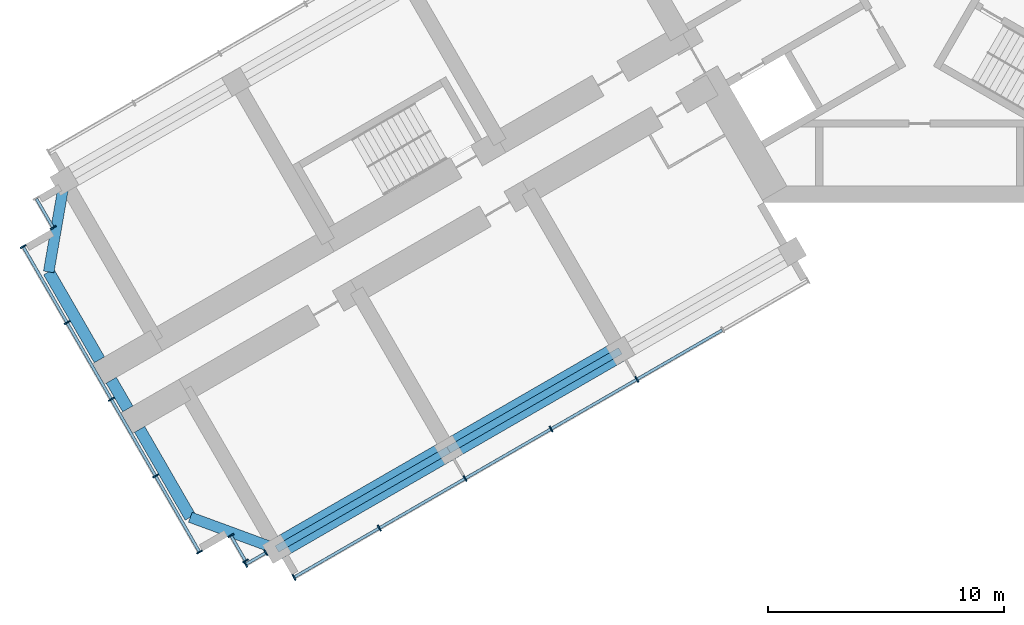
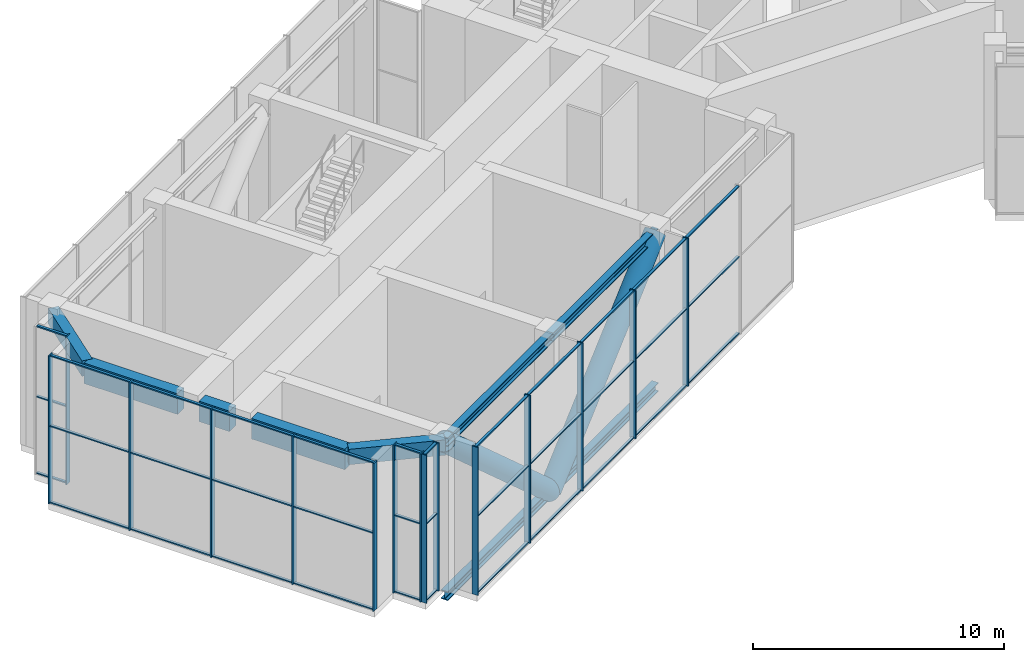
# One storey, part 2 of 16: 57 members, 5 beams, 5 elements without a shape of their own.
"""IFC4 building model written with IfcOpenShell, lengths in metres."""

from ifc_helpers import new_model, si_unit, direction, frame, origin, origin_2d, place, context, subcontext, project, spatial, rectangle, hollow_circle, i_section, extrude, material, material_profile, profile_set, type_object, element, aggregate, save


model = new_model("IFC4")

# Units and contexts
model_context = context("Model", 3, precision=1e-05, world=origin(), true_north=direction((0.0, 1.0)))
body_context = subcontext(model_context, "Body", "Model", "MODEL_VIEW")
ifc_project = project(units=[si_unit("LENGTHUNIT", "METRE"), si_unit("AREAUNIT", "SQUARE_METRE"), si_unit("VOLUMEUNIT", "CUBIC_METRE"), si_unit("PLANEANGLEUNIT", "RADIAN"), si_unit("MASSUNIT", "GRAM", prefix="KILO")], contexts=[model_context])

# Site, building, storey
site_placement = place(None, origin())
site = spatial("IfcSite", under=ifc_project, at=site_placement, CompositionType="ELEMENT")
building_placement = place(site_placement, origin())
building = spatial("IfcBuilding", under=site, at=building_placement, Name="Impinga Residences", CompositionType="ELEMENT")
storey_placement = place(building_placement, frame((0.0, 0.0, 181.0)))
storey = spatial("IfcBuildingStorey", under=building, at=storey_placement, Name="L45", CompositionType="ELEMENT", Elevation=181.0)

# Members
ifc_material_1 = material(Name="Steel S355", Category="steel")
ifc_material_profile_1 = material_profile(ifc_material_1, i_section(OverallWidth=0.306884765625, OverallDepth=0.431884765625, WebThickness=0.02099609375, FlangeThickness=0.0400390625, FilletRadius=0.027099609375, at=origin_2d()), Name="HE 400 M")
ifc_profile_set_1 = profile_set([ifc_material_profile_1], Name="Steel S355")
member_type_1 = type_object("IfcMemberType", Name="BT1 HE 400 M belt truss chord", PredefinedType="CHORD", material=ifc_profile_set_1)
for number, where, z_axis, x_axis, name in (
    (1, (-12.674560546875, -17.7099609375, -0.51611328125), (-0.86602925447, -0.499993330357, 0.0), (0.499993330357, -0.86602925447, 0.0), "Belt truss chord BT1 WA W2-W3 L45"),
    (2, (-12.674560546875, -17.7099609375, 6.98388671875), (-0.86602925447, -0.499993330357, 0.0), (0.499993330357, -0.86602925447, 0.0), "Belt truss chord BT1 WA W2-W3 L45"),
):
    element("IfcMember", number, at=place(storey_placement, frame(where, z_axis=z_axis, x_axis=x_axis)), inside=storey, type_object=member_type_1, Name=name, PredefinedType="CHORD", context=body_context, shape_type="SweptSolid", body=[
        extrude(i_section(OverallWidth=0.306884765625, OverallDepth=0.431884765625, WebThickness=0.02099609375, FlangeThickness=0.0400390625, FilletRadius=0.027099609375, at=origin_2d()), origin(), (0.0, 0.0, 1.0), 8.39990234375),
    ])
for number, where, z_axis, x_axis, name in (
    (3, (-19.94921875, -21.909912109375, -0.51611328125), (-0.866016669275, -0.500015128309, 0.0), (0.500015128309, -0.866016669275, 0.0), "Belt truss chord BT1 WA W3-W4 L45"),
    (4, (-19.94921875, -21.909912109375, 6.98388671875), (-0.866016669275, -0.500015128309, 0.0), (0.500015128309, -0.866016669275, 0.0), "Belt truss chord BT1 WA W3-W4 L45"),
):
    element("IfcMember", number, at=place(storey_placement, frame(where, z_axis=z_axis, x_axis=x_axis)), inside=storey, type_object=member_type_1, Name=name, PredefinedType="CHORD", context=body_context, shape_type="SweptSolid", body=[
        extrude(i_section(OverallWidth=0.306884765625, OverallDepth=0.431884765625, WebThickness=0.02099609375, FlangeThickness=0.0400390625, FilletRadius=0.027099609375, at=origin_2d()), origin(), (0.0, 0.0, 1.0), 8.400146484375),
    ])
ifc_material_2 = material(Name="Steel S355J2H", Category="steel")
ifc_material_profile_2 = material_profile(ifc_material_2, hollow_circle(Radius=0.457275390625, WallThickness=0.02490234375, at=origin_2d()), Name="CHS 914.4x25")
ifc_profile_set_2 = profile_set([ifc_material_profile_2], Name="Steel S355J2H")
member_type_2 = type_object("IfcMemberType", Name="BT3 CHS 914.4x25 belt truss diagonal at L45", PredefinedType="BRACE", material=ifc_profile_set_2)
for number, where, z_axis, x_axis, name in (
    (5, (-12.674560546875, -17.7099609375, 6.98388671875), (-0.646004328005, -0.372964139164, -0.666015134285), (0.499993330357, -0.86602925447, 0.0), "Belt truss diagonal BT3 WA W2-W3 L45"),
    (6, (-19.94921875, -21.909912109375, -0.51611328125), (-0.645999104371, -0.372982803356, 0.666009748843), (0.500015128309, -0.866016669275, 0.0), "Belt truss diagonal BT3 WA W3-W4 L45"),
):
    element("IfcMember", number, at=place(storey_placement, frame(where, z_axis=z_axis, x_axis=x_axis)), inside=storey, type_object=member_type_2, Name=name, PredefinedType="BRACE", context=body_context, shape_type="SweptSolid", body=[
        extrude(hollow_circle(Radius=0.457275390625, WallThickness=0.02490234375, at=origin_2d()), origin(), (0.0, 0.0, 1.0), 11.260986328125),
    ])

# Beams
ifc_material_3 = material(Name="Concrete C60/75", Category="concrete")
ifc_material_profile_3 = material_profile(ifc_material_3, rectangle(XDim=0.449951171875, YDim=0.75, at=origin_2d()), Name="RC 450x750")
ifc_profile_set_3 = profile_set([ifc_material_profile_3], Name="Concrete C60/75")
beam_type_1 = type_object("IfcBeamType", Name="CB1 450x750 wing end cantilever beam", PredefinedType="BEAM", material=ifc_profile_set_3)
beam_1_placement = place(storey_placement, frame((-27.223876953125, -26.110107421875, 6.824951171875), z_axis=(-0.938520178725, 0.345224382289, 0.0), x_axis=(-0.345224382289, -0.938520178725, 0.0)))
element("IfcBeam", 7, at=beam_1_placement, inside=storey, type_object=beam_type_1, Name="Beam CB1 WB W4-WX level L46", PredefinedType="BEAM", context=body_context, shape_type="SweptSolid", body=[
    extrude(rectangle(XDim=0.449951171875, YDim=0.75, at=origin_2d()), origin(), (0.0, 0.0, 1.0), 3.905029296875),
])
beam_2_placement = place(storey_placement, frame((-36.223876953125, -10.521484375, 6.824951171875), z_axis=(-0.170296298948, -0.985392901621, 0.0), x_axis=(0.985392901621, -0.170296298948, 0.0)))
element("IfcBeam", 8, at=beam_2_placement, inside=storey, type_object=beam_type_1, Name="Beam CB1 WE W4-WX level L46", PredefinedType="BEAM", context=body_context, shape_type="SweptSolid", body=[
    extrude(rectangle(XDim=0.449951171875, YDim=0.75, at=origin_2d()), origin(), (0.0, 0.0, 1.0), 3.9052734375),
])

# Curtain wall, members
ifc_material_4 = material(Name="Aluminium stick curtain wall", Category="aluminium")
curtain_wall_type = type_object("IfcCurtainWallType", Name="CW4 plant floor louvred curtain wall", PredefinedType="USERDEFINED", material=ifc_material_4)
curtain_wall_1_placement = place(storey_placement, origin())
curtain_wall_1 = element("IfcCurtainWall", 9, at=curtain_wall_1_placement, inside=storey, type_object=curtain_wall_type, Name="Curtain wall CW4 L45", ObjectType="STICK CURTAIN WALL", PredefinedType="USERDEFINED")
ifc_material_5 = material(Name="Aluminium mullion", Category="aluminium")
ifc_material_profile_4 = material_profile(ifc_material_5, rectangle(XDim=0.06005859375, YDim=0.27490234375, at=origin_2d()), Name="60x275 mullion")
ifc_profile_set_4 = profile_set([ifc_material_profile_4], Name="Aluminium mullion")
member_type_3 = type_object("IfcMemberType", Name="CW4-M mullion 60x275", PredefinedType="MULLION", material=ifc_profile_set_4)
member_1_placement = place(storey_placement, frame((-27.692138671875, -26.264892578125, 0.0), z_axis=(0.0, 0.0, 1.0), x_axis=(-0.86602549983, -0.499999833644, 0.0)))
member_1 = element("IfcMember", 10, at=member_1_placement, type_object=member_type_3, Name="CW4 mullion 1", PredefinedType="MULLION", context=body_context, shape_type="SweptSolid", body=[
    extrude(rectangle(XDim=0.06005859375, YDim=0.27490234375, at=origin_2d()), origin(), (0.0, 0.0, 1.0), 7.199951171875),
])
member_2_placement = place(storey_placement, frame((-28.546875, -26.75830078125, 0.0), z_axis=(0.0, 0.0, 1.0), x_axis=(-0.86602549983, -0.499999833644, 0.0)))
member_2 = element("IfcMember", 11, at=member_2_placement, type_object=member_type_3, Name="CW4 mullion 2", PredefinedType="MULLION", context=body_context, shape_type="SweptSolid", body=[
    extrude(rectangle(XDim=0.06005859375, YDim=0.27490234375, at=origin_2d()), origin(), (0.0, 0.0, 1.0), 7.199951171875),
])

curtain_wall_2_placement = place(storey_placement, origin())
curtain_wall_2 = element("IfcCurtainWall", 12, at=curtain_wall_2_placement, inside=storey, type_object=curtain_wall_type, Name="Curtain wall CW4 L45", ObjectType="STICK CURTAIN WALL", PredefinedType="USERDEFINED")
member_3_placement = place(storey_placement, frame((-28.55126953125, -26.61083984375, 0.0), z_axis=(0.0, 0.0, 1.0), x_axis=(-0.500000008298, 0.866025398994, 0.0)))
member_3 = element("IfcMember", 13, at=member_3_placement, type_object=member_type_3, Name="CW4 mullion 1", PredefinedType="MULLION", context=body_context, shape_type="SweptSolid", body=[
    extrude(rectangle(XDim=0.06005859375, YDim=0.27490234375, at=origin_2d()), origin(), (0.0, 0.0, 1.0), 7.199951171875),
])
member_4_placement = place(storey_placement, frame((-29.17138671875, -25.536865234375, 0.0), z_axis=(0.0, 0.0, 1.0), x_axis=(-0.500000008298, 0.866025398994, 0.0)))
member_4 = element("IfcMember", 14, at=member_4_placement, type_object=member_type_3, Name="CW4 mullion 2", PredefinedType="MULLION", context=body_context, shape_type="SweptSolid", body=[
    extrude(rectangle(XDim=0.06005859375, YDim=0.27490234375, at=origin_2d()), origin(), (0.0, 0.0, 1.0), 7.199951171875),
])

curtain_wall_3_placement = place(storey_placement, origin())
curtain_wall_3 = element("IfcCurtainWall", 15, at=curtain_wall_3_placement, inside=storey, type_object=curtain_wall_type, Name="Curtain wall CW4 L45", ObjectType="STICK CURTAIN WALL", PredefinedType="USERDEFINED")
member_5_placement = place(storey_placement, frame((-30.500244140625, -26.23486328125, 0.0), z_axis=(0.0, 0.0, 1.0), x_axis=(-0.500000001632, 0.866025402842, 0.0)))
member_5 = element("IfcMember", 16, at=member_5_placement, type_object=member_type_3, Name="CW4 mullion 1", PredefinedType="MULLION", context=body_context, shape_type="SweptSolid", body=[
    extrude(rectangle(XDim=0.06005859375, YDim=0.27490234375, at=origin_2d()), origin(), (0.0, 0.0, 1.0), 7.199951171875),
])
member_6_placement = place(storey_placement, frame((-32.3603515625, -23.013427734375, 0.0), z_axis=(0.0, 0.0, 1.0), x_axis=(-0.500000001632, 0.866025402842, 0.0)))
member_6 = element("IfcMember", 17, at=member_6_placement, type_object=member_type_3, Name="CW4 mullion 2", PredefinedType="MULLION", context=body_context, shape_type="SweptSolid", body=[
    extrude(rectangle(XDim=0.06005859375, YDim=0.27490234375, at=origin_2d()), origin(), (0.0, 0.0, 1.0), 7.199951171875),
])
member_7_placement = place(storey_placement, frame((-34.2353515625, -19.765869140625, 0.0), z_axis=(0.0, 0.0, 1.0), x_axis=(-0.500000001632, 0.866025402842, 0.0)))
member_7 = element("IfcMember", 18, at=member_7_placement, type_object=member_type_3, Name="CW4 mullion 3", PredefinedType="MULLION", context=body_context, shape_type="SweptSolid", body=[
    extrude(rectangle(XDim=0.06005859375, YDim=0.27490234375, at=origin_2d()), origin(), (0.0, 0.0, 1.0), 7.199951171875),
])
member_8_placement = place(storey_placement, frame((-36.1103515625, -16.51806640625, 0.0), z_axis=(0.0, 0.0, 1.0), x_axis=(-0.500000001632, 0.866025402842, 0.0)))
member_8 = element("IfcMember", 19, at=member_8_placement, type_object=member_type_3, Name="CW4 mullion 4", PredefinedType="MULLION", context=body_context, shape_type="SweptSolid", body=[
    extrude(rectangle(XDim=0.06005859375, YDim=0.27490234375, at=origin_2d()), origin(), (0.0, 0.0, 1.0), 7.199951171875),
])
member_9_placement = place(storey_placement, frame((-37.97021484375, -13.296630859375, 0.0), z_axis=(0.0, 0.0, 1.0), x_axis=(-0.500000001632, 0.866025402842, 0.0)))
member_9 = element("IfcMember", 20, at=member_9_placement, type_object=member_type_3, Name="CW4 mullion 5", PredefinedType="MULLION", context=body_context, shape_type="SweptSolid", body=[
    extrude(rectangle(XDim=0.06005859375, YDim=0.27490234375, at=origin_2d()), origin(), (0.0, 0.0, 1.0), 7.199951171875),
])

# Curtain wall, member
curtain_wall_4_placement = place(storey_placement, origin())
curtain_wall_4 = element("IfcCurtainWall", 21, at=curtain_wall_4_placement, inside=storey, type_object=curtain_wall_type, Name="Curtain wall CW4 L45", ObjectType="STICK CURTAIN WALL", PredefinedType="USERDEFINED")
member_10_placement = place(storey_placement, frame((-36.701171875, -12.49462890625, 0.0), z_axis=(0.0, 0.0, 1.0), x_axis=(-0.500000030502, 0.866025386174, 0.0)))
member_10 = element("IfcMember", 22, at=member_10_placement, type_object=member_type_3, Name="CW4 mullion 1", PredefinedType="MULLION", context=body_context, shape_type="SweptSolid", body=[
    extrude(rectangle(XDim=0.06005859375, YDim=0.27490234375, at=origin_2d()), origin(), (0.0, 0.0, 1.0), 7.199951171875),
])

# Curtain wall, members
curtain_wall_5_placement = place(storey_placement, origin())
curtain_wall_5 = element("IfcCurtainWall", 23, at=curtain_wall_5_placement, inside=storey, type_object=curtain_wall_type, Name="Curtain wall CW4 L45", ObjectType="STICK CURTAIN WALL", PredefinedType="USERDEFINED")
member_11_placement = place(storey_placement, frame((-11.974609375, -18.92236328125, 0.0), z_axis=(0.0, 0.0, 1.0), x_axis=(-0.866025402048, -0.500000003008, 0.0)))
member_11 = element("IfcMember", 24, at=member_11_placement, type_object=member_type_3, Name="CW4 mullion 3", PredefinedType="MULLION", context=body_context, shape_type="SweptSolid", body=[
    extrude(rectangle(XDim=0.06005859375, YDim=0.27490234375, at=origin_2d()), origin(), (0.0, 0.0, 1.0), 7.199951171875),
])
member_12_placement = place(storey_placement, frame((-15.61181640625, -21.0224609375, 0.0), z_axis=(0.0, 0.0, 1.0), x_axis=(-0.866025402048, -0.500000003008, 0.0)))
member_12 = element("IfcMember", 25, at=member_12_placement, type_object=member_type_3, Name="CW4 mullion 4", PredefinedType="MULLION", context=body_context, shape_type="SweptSolid", body=[
    extrude(rectangle(XDim=0.06005859375, YDim=0.27490234375, at=origin_2d()), origin(), (0.0, 0.0, 1.0), 7.199951171875),
])
member_13_placement = place(storey_placement, frame((-19.249267578125, -23.122314453125, 0.0), z_axis=(0.0, 0.0, 1.0), x_axis=(-0.866025402048, -0.500000003008, 0.0)))
member_13 = element("IfcMember", 26, at=member_13_placement, type_object=member_type_3, Name="CW4 mullion 5", PredefinedType="MULLION", context=body_context, shape_type="SweptSolid", body=[
    extrude(rectangle(XDim=0.06005859375, YDim=0.27490234375, at=origin_2d()), origin(), (0.0, 0.0, 1.0), 7.199951171875),
])
member_14_placement = place(storey_placement, frame((-22.886474609375, -25.222412109375, 0.0), z_axis=(0.0, 0.0, 1.0), x_axis=(-0.866025402048, -0.500000003008, 0.0)))
member_14 = element("IfcMember", 27, at=member_14_placement, type_object=member_type_3, Name="CW4 mullion 6", PredefinedType="MULLION", context=body_context, shape_type="SweptSolid", body=[
    extrude(rectangle(XDim=0.06005859375, YDim=0.27490234375, at=origin_2d()), origin(), (0.0, 0.0, 1.0), 7.199951171875),
])
member_15_placement = place(storey_placement, frame((-26.497802734375, -27.307373046875, 0.0), z_axis=(0.0, 0.0, 1.0), x_axis=(-0.866025402048, -0.500000003008, 0.0)))
member_15 = element("IfcMember", 28, at=member_15_placement, type_object=member_type_3, Name="CW4 mullion 7", PredefinedType="MULLION", context=body_context, shape_type="SweptSolid", body=[
    extrude(rectangle(XDim=0.06005859375, YDim=0.27490234375, at=origin_2d()), origin(), (0.0, 0.0, 1.0), 7.199951171875),
])

# Member
ifc_material_6 = material(Name="Aluminium transom", Category="aluminium")
ifc_material_profile_5 = material_profile(ifc_material_6, rectangle(XDim=0.06005859375, YDim=0.1201171875, at=origin_2d()), Name="60x120 transom")
ifc_profile_set_5 = profile_set([ifc_material_profile_5], Name="Aluminium transom")
member_type_4 = type_object("IfcMemberType", Name="CW4-T transom 60x120", PredefinedType="USERDEFINED", material=ifc_profile_set_5)
member_16_placement = place(storey_placement, frame((-27.718017578125, -26.27978515625, 0.030029296875), z_axis=(-0.866014576189, -0.500018753476, 0.0), x_axis=(0.0, 0.0, 1.0)))
member_16 = element("IfcMember", 29, at=member_16_placement, type_object=member_type_4, Name="CW4 transom 1.1", ObjectType="TRANSOM", PredefinedType="USERDEFINED", context=body_context, shape_type="SweptSolid", body=[
    extrude(rectangle(XDim=0.06005859375, YDim=0.1201171875, at=origin_2d()), origin(), (0.0, 0.0, 1.0), 0.92724609375),
])

member_17_placement = place(storey_placement, frame((-27.718017578125, -26.27978515625, 3.75), z_axis=(-0.866014576189, -0.500018753476, 0.0), x_axis=(0.0, 0.0, 1.0)))
member_17 = element("IfcMember", 30, at=member_17_placement, type_object=member_type_4, Name="CW4 transom 1.2", ObjectType="TRANSOM", PredefinedType="USERDEFINED", context=body_context, shape_type="SweptSolid", body=[
    extrude(rectangle(XDim=0.06005859375, YDim=0.1201171875, at=origin_2d()), origin(), (0.0, 0.0, 1.0), 0.92724609375),
])

member_18_placement = place(storey_placement, frame((-27.718017578125, -26.27978515625, 7.169921875), z_axis=(-0.866014576189, -0.500018753476, 0.0), x_axis=(0.0, 0.0, 1.0)))
member_18 = element("IfcMember", 31, at=member_18_placement, type_object=member_type_4, Name="CW4 transom 1.3", ObjectType="TRANSOM", PredefinedType="USERDEFINED", context=body_context, shape_type="SweptSolid", body=[
    extrude(rectangle(XDim=0.06005859375, YDim=0.1201171875, at=origin_2d()), origin(), (0.0, 0.0, 1.0), 0.92724609375),
])

aggregate(curtain_wall_1, [member_1, member_2, member_16, member_17, member_18])

member_19_placement = place(storey_placement, frame((-28.566162109375, -26.584716796875, 0.030029296875), z_axis=(-0.500122458289, 0.865954690914, 0.0), x_axis=(0.0, 0.0, 1.0)))
member_19 = element("IfcMember", 32, at=member_19_placement, type_object=member_type_4, Name="CW4 transom 1.1", ObjectType="TRANSOM", PredefinedType="USERDEFINED", context=body_context, shape_type="SweptSolid", body=[
    extrude(rectangle(XDim=0.06005859375, YDim=0.1201171875, at=origin_2d()), origin(), (0.0, 0.0, 1.0), 1.179931640625),
])

member_20_placement = place(storey_placement, frame((-28.566162109375, -26.584716796875, 3.75), z_axis=(-0.500122458289, 0.865954690914, 0.0), x_axis=(0.0, 0.0, 1.0)))
member_20 = element("IfcMember", 33, at=member_20_placement, type_object=member_type_4, Name="CW4 transom 1.2", ObjectType="TRANSOM", PredefinedType="USERDEFINED", context=body_context, shape_type="SweptSolid", body=[
    extrude(rectangle(XDim=0.06005859375, YDim=0.1201171875, at=origin_2d()), origin(), (0.0, 0.0, 1.0), 1.179931640625),
])

member_21_placement = place(storey_placement, frame((-28.566162109375, -26.584716796875, 7.169921875), z_axis=(-0.500122458289, 0.865954690914, 0.0), x_axis=(0.0, 0.0, 1.0)))
member_21 = element("IfcMember", 34, at=member_21_placement, type_object=member_type_4, Name="CW4 transom 1.3", ObjectType="TRANSOM", PredefinedType="USERDEFINED", context=body_context, shape_type="SweptSolid", body=[
    extrude(rectangle(XDim=0.06005859375, YDim=0.1201171875, at=origin_2d()), origin(), (0.0, 0.0, 1.0), 1.179931640625),
])

aggregate(curtain_wall_2, [member_3, member_4, member_19, member_20, member_21])

member_22_placement = place(storey_placement, frame((-30.515380859375, -26.208984375, 0.030029296875), z_axis=(-0.499963050397, 0.866046735597, 0.0), x_axis=(0.0, 0.0, 1.0)))
member_22 = element("IfcMember", 35, at=member_22_placement, type_object=member_type_4, Name="CW4 transom 1.1", ObjectType="TRANSOM", PredefinedType="USERDEFINED", context=body_context, shape_type="SweptSolid", body=[
    extrude(rectangle(XDim=0.06005859375, YDim=0.1201171875, at=origin_2d()), origin(), (0.0, 0.0, 1.0), 3.659912109375),
])

member_23_placement = place(storey_placement, frame((-30.515380859375, -26.208984375, 3.75), z_axis=(-0.499963050397, 0.866046735597, 0.0), x_axis=(0.0, 0.0, 1.0)))
member_23 = element("IfcMember", 36, at=member_23_placement, type_object=member_type_4, Name="CW4 transom 1.2", ObjectType="TRANSOM", PredefinedType="USERDEFINED", context=body_context, shape_type="SweptSolid", body=[
    extrude(rectangle(XDim=0.06005859375, YDim=0.1201171875, at=origin_2d()), origin(), (0.0, 0.0, 1.0), 3.659912109375),
])

member_24_placement = place(storey_placement, frame((-30.515380859375, -26.208984375, 7.169921875), z_axis=(-0.499963050397, 0.866046735597, 0.0), x_axis=(0.0, 0.0, 1.0)))
member_24 = element("IfcMember", 37, at=member_24_placement, type_object=member_type_4, Name="CW4 transom 1.3", ObjectType="TRANSOM", PredefinedType="USERDEFINED", context=body_context, shape_type="SweptSolid", body=[
    extrude(rectangle(XDim=0.06005859375, YDim=0.1201171875, at=origin_2d()), origin(), (0.0, 0.0, 1.0), 3.659912109375),
])

member_25_placement = place(storey_placement, frame((-32.375244140625, -22.9873046875, 0.030029296875), z_axis=(-0.500003092839, 0.866023618125, 0.0), x_axis=(0.0, 0.0, 1.0)))
member_25 = element("IfcMember", 38, at=member_25_placement, type_object=member_type_4, Name="CW4 transom 2.1", ObjectType="TRANSOM", PredefinedType="USERDEFINED", context=body_context, shape_type="SweptSolid", body=[
    extrude(rectangle(XDim=0.06005859375, YDim=0.1201171875, at=origin_2d()), origin(), (0.0, 0.0, 1.0), 3.68994140625),
])

member_26_placement = place(storey_placement, frame((-32.375244140625, -22.9873046875, 3.75), z_axis=(-0.500003092839, 0.866023618125, 0.0), x_axis=(0.0, 0.0, 1.0)))
member_26 = element("IfcMember", 39, at=member_26_placement, type_object=member_type_4, Name="CW4 transom 2.2", ObjectType="TRANSOM", PredefinedType="USERDEFINED", context=body_context, shape_type="SweptSolid", body=[
    extrude(rectangle(XDim=0.06005859375, YDim=0.1201171875, at=origin_2d()), origin(), (0.0, 0.0, 1.0), 3.68994140625),
])

member_27_placement = place(storey_placement, frame((-32.375244140625, -22.9873046875, 7.169921875), z_axis=(-0.500003092839, 0.866023618125, 0.0), x_axis=(0.0, 0.0, 1.0)))
member_27 = element("IfcMember", 40, at=member_27_placement, type_object=member_type_4, Name="CW4 transom 2.3", ObjectType="TRANSOM", PredefinedType="USERDEFINED", context=body_context, shape_type="SweptSolid", body=[
    extrude(rectangle(XDim=0.06005859375, YDim=0.1201171875, at=origin_2d()), origin(), (0.0, 0.0, 1.0), 3.68994140625),
])

member_28_placement = place(storey_placement, frame((-34.250244140625, -19.73974609375, 0.030029296875), z_axis=(-0.500003092839, 0.866023618125, 0.0), x_axis=(0.0, 0.0, 1.0)))
member_28 = element("IfcMember", 41, at=member_28_placement, type_object=member_type_4, Name="CW4 transom 3.1", ObjectType="TRANSOM", PredefinedType="USERDEFINED", context=body_context, shape_type="SweptSolid", body=[
    extrude(rectangle(XDim=0.06005859375, YDim=0.1201171875, at=origin_2d()), origin(), (0.0, 0.0, 1.0), 3.68994140625),
])

member_29_placement = place(storey_placement, frame((-34.250244140625, -19.73974609375, 3.75), z_axis=(-0.500003092839, 0.866023618125, 0.0), x_axis=(0.0, 0.0, 1.0)))
member_29 = element("IfcMember", 42, at=member_29_placement, type_object=member_type_4, Name="CW4 transom 3.2", ObjectType="TRANSOM", PredefinedType="USERDEFINED", context=body_context, shape_type="SweptSolid", body=[
    extrude(rectangle(XDim=0.06005859375, YDim=0.1201171875, at=origin_2d()), origin(), (0.0, 0.0, 1.0), 3.68994140625),
])

member_30_placement = place(storey_placement, frame((-34.250244140625, -19.73974609375, 7.169921875), z_axis=(-0.500003092839, 0.866023618125, 0.0), x_axis=(0.0, 0.0, 1.0)))
member_30 = element("IfcMember", 43, at=member_30_placement, type_object=member_type_4, Name="CW4 transom 3.3", ObjectType="TRANSOM", PredefinedType="USERDEFINED", context=body_context, shape_type="SweptSolid", body=[
    extrude(rectangle(XDim=0.06005859375, YDim=0.1201171875, at=origin_2d()), origin(), (0.0, 0.0, 1.0), 3.68994140625),
])

member_31_placement = place(storey_placement, frame((-36.125244140625, -16.4921875, 0.030029296875), z_axis=(-0.500013080017, 0.866017851902, 0.0), x_axis=(0.0, 0.0, 1.0)))
member_31 = element("IfcMember", 44, at=member_31_placement, type_object=member_type_4, Name="CW4 transom 4.1", ObjectType="TRANSOM", PredefinedType="USERDEFINED", context=body_context, shape_type="SweptSolid", body=[
    extrude(rectangle(XDim=0.06005859375, YDim=0.1201171875, at=origin_2d()), origin(), (0.0, 0.0, 1.0), 3.66015625),
])

member_32_placement = place(storey_placement, frame((-36.125244140625, -16.4921875, 3.75), z_axis=(-0.500013080017, 0.866017851902, 0.0), x_axis=(0.0, 0.0, 1.0)))
member_32 = element("IfcMember", 45, at=member_32_placement, type_object=member_type_4, Name="CW4 transom 4.2", ObjectType="TRANSOM", PredefinedType="USERDEFINED", context=body_context, shape_type="SweptSolid", body=[
    extrude(rectangle(XDim=0.06005859375, YDim=0.1201171875, at=origin_2d()), origin(), (0.0, 0.0, 1.0), 3.66015625),
])

member_33_placement = place(storey_placement, frame((-36.125244140625, -16.4921875, 7.169921875), z_axis=(-0.500013080017, 0.866017851902, 0.0), x_axis=(0.0, 0.0, 1.0)))
member_33 = element("IfcMember", 46, at=member_33_placement, type_object=member_type_4, Name="CW4 transom 4.3", ObjectType="TRANSOM", PredefinedType="USERDEFINED", context=body_context, shape_type="SweptSolid", body=[
    extrude(rectangle(XDim=0.06005859375, YDim=0.1201171875, at=origin_2d()), origin(), (0.0, 0.0, 1.0), 3.66015625),
])

aggregate(curtain_wall_3, [member_5, member_6, member_7, member_8, member_9, member_22, member_23, member_24, member_25, member_26, member_27, member_28, member_29, member_30, member_31, member_32, member_33])

member_34_placement = place(storey_placement, frame((-36.71630859375, -12.468505859375, 0.030029296875), z_axis=(-0.499982807329, 0.86603532975, 0.0), x_axis=(0.0, 0.0, 1.0)))
member_34 = element("IfcMember", 47, at=member_34_placement, type_object=member_type_4, Name="CW4 transom 1.1", ObjectType="TRANSOM", PredefinedType="USERDEFINED", context=body_context, shape_type="SweptSolid", body=[
    extrude(rectangle(XDim=0.06005859375, YDim=0.1201171875, at=origin_2d()), origin(), (0.0, 0.0, 1.0), 1.3798828125),
])

member_35_placement = place(storey_placement, frame((-36.71630859375, -12.468505859375, 3.75), z_axis=(-0.499982807329, 0.86603532975, 0.0), x_axis=(0.0, 0.0, 1.0)))
member_35 = element("IfcMember", 48, at=member_35_placement, type_object=member_type_4, Name="CW4 transom 1.2", ObjectType="TRANSOM", PredefinedType="USERDEFINED", context=body_context, shape_type="SweptSolid", body=[
    extrude(rectangle(XDim=0.06005859375, YDim=0.1201171875, at=origin_2d()), origin(), (0.0, 0.0, 1.0), 1.3798828125),
])

member_36_placement = place(storey_placement, frame((-36.71630859375, -12.468505859375, 7.169921875), z_axis=(-0.499982807329, 0.86603532975, 0.0), x_axis=(0.0, 0.0, 1.0)))
member_36 = element("IfcMember", 49, at=member_36_placement, type_object=member_type_4, Name="CW4 transom 1.3", ObjectType="TRANSOM", PredefinedType="USERDEFINED", context=body_context, shape_type="SweptSolid", body=[
    extrude(rectangle(XDim=0.06005859375, YDim=0.1201171875, at=origin_2d()), origin(), (0.0, 0.0, 1.0), 1.3798828125),
])

aggregate(curtain_wall_4, [member_10, member_34, member_35, member_36])

member_37_placement = place(storey_placement, frame((-8.36328125, -16.83740234375, 0.030029296875), z_axis=(-0.866024536972, -0.500001501361, 0.0), x_axis=(0.0, 0.0, 1.0)))
member_37 = element("IfcMember", 50, at=member_37_placement, type_object=member_type_4, Name="CW4 transom 2.1", ObjectType="TRANSOM", PredefinedType="USERDEFINED", context=body_context, shape_type="SweptSolid", body=[
    extrude(rectangle(XDim=0.06005859375, YDim=0.1201171875, at=origin_2d()), origin(), (0.0, 0.0, 1.0), 4.14013671875),
])

member_38_placement = place(storey_placement, frame((-8.36328125, -16.83740234375, 3.75), z_axis=(-0.866024536972, -0.500001501361, 0.0), x_axis=(0.0, 0.0, 1.0)))
member_38 = element("IfcMember", 51, at=member_38_placement, type_object=member_type_4, Name="CW4 transom 2.2", ObjectType="TRANSOM", PredefinedType="USERDEFINED", context=body_context, shape_type="SweptSolid", body=[
    extrude(rectangle(XDim=0.06005859375, YDim=0.1201171875, at=origin_2d()), origin(), (0.0, 0.0, 1.0), 4.14013671875),
])

member_39_placement = place(storey_placement, frame((-8.36328125, -16.83740234375, 7.169921875), z_axis=(-0.866024536972, -0.500001501361, 0.0), x_axis=(0.0, 0.0, 1.0)))
member_39 = element("IfcMember", 52, at=member_39_placement, type_object=member_type_4, Name="CW4 transom 2.3", ObjectType="TRANSOM", PredefinedType="USERDEFINED", context=body_context, shape_type="SweptSolid", body=[
    extrude(rectangle(XDim=0.06005859375, YDim=0.1201171875, at=origin_2d()), origin(), (0.0, 0.0, 1.0), 4.14013671875),
])

member_40_placement = place(storey_placement, frame((-12.00048828125, -18.9375, 0.030029296875), z_axis=(-0.866050071143, -0.499957272447, 0.0), x_axis=(0.0, 0.0, 1.0)))
member_40 = element("IfcMember", 53, at=member_40_placement, type_object=member_type_4, Name="CW4 transom 3.1", ObjectType="TRANSOM", PredefinedType="USERDEFINED", context=body_context, shape_type="SweptSolid", body=[
    extrude(rectangle(XDim=0.06005859375, YDim=0.1201171875, at=origin_2d()), origin(), (0.0, 0.0, 1.0), 4.139892578125),
])

member_41_placement = place(storey_placement, frame((-12.00048828125, -18.9375, 3.75), z_axis=(-0.866050071143, -0.499957272447, 0.0), x_axis=(0.0, 0.0, 1.0)))
member_41 = element("IfcMember", 54, at=member_41_placement, type_object=member_type_4, Name="CW4 transom 3.2", ObjectType="TRANSOM", PredefinedType="USERDEFINED", context=body_context, shape_type="SweptSolid", body=[
    extrude(rectangle(XDim=0.06005859375, YDim=0.1201171875, at=origin_2d()), origin(), (0.0, 0.0, 1.0), 4.139892578125),
])

member_42_placement = place(storey_placement, frame((-12.00048828125, -18.9375, 7.169921875), z_axis=(-0.866050071143, -0.499957272447, 0.0), x_axis=(0.0, 0.0, 1.0)))
member_42 = element("IfcMember", 55, at=member_42_placement, type_object=member_type_4, Name="CW4 transom 3.3", ObjectType="TRANSOM", PredefinedType="USERDEFINED", context=body_context, shape_type="SweptSolid", body=[
    extrude(rectangle(XDim=0.06005859375, YDim=0.1201171875, at=origin_2d()), origin(), (0.0, 0.0, 1.0), 4.139892578125),
])

member_43_placement = place(storey_placement, frame((-15.637939453125, -21.037353515625, 0.030029296875), z_axis=(-0.866009793405, -0.500027036996, 0.0), x_axis=(0.0, 0.0, 1.0)))
member_43 = element("IfcMember", 56, at=member_43_placement, type_object=member_type_4, Name="CW4 transom 4.1", ObjectType="TRANSOM", PredefinedType="USERDEFINED", context=body_context, shape_type="SweptSolid", body=[
    extrude(rectangle(XDim=0.06005859375, YDim=0.1201171875, at=origin_2d()), origin(), (0.0, 0.0, 1.0), 4.139892578125),
])

member_44_placement = place(storey_placement, frame((-15.637939453125, -21.037353515625, 3.75), z_axis=(-0.866009793405, -0.500027036996, 0.0), x_axis=(0.0, 0.0, 1.0)))
member_44 = element("IfcMember", 57, at=member_44_placement, type_object=member_type_4, Name="CW4 transom 4.2", ObjectType="TRANSOM", PredefinedType="USERDEFINED", context=body_context, shape_type="SweptSolid", body=[
    extrude(rectangle(XDim=0.06005859375, YDim=0.1201171875, at=origin_2d()), origin(), (0.0, 0.0, 1.0), 4.139892578125),
])

member_45_placement = place(storey_placement, frame((-15.637939453125, -21.037353515625, 7.169921875), z_axis=(-0.866009793405, -0.500027036996, 0.0), x_axis=(0.0, 0.0, 1.0)))
member_45 = element("IfcMember", 58, at=member_45_placement, type_object=member_type_4, Name="CW4 transom 4.3", ObjectType="TRANSOM", PredefinedType="USERDEFINED", context=body_context, shape_type="SweptSolid", body=[
    extrude(rectangle(XDim=0.06005859375, YDim=0.1201171875, at=origin_2d()), origin(), (0.0, 0.0, 1.0), 4.139892578125),
])

member_46_placement = place(storey_placement, frame((-19.275146484375, -23.137451171875, 0.030029296875), z_axis=(-0.866024536972, -0.500001501361, 0.0), x_axis=(0.0, 0.0, 1.0)))
member_46 = element("IfcMember", 59, at=member_46_placement, type_object=member_type_4, Name="CW4 transom 5.1", ObjectType="TRANSOM", PredefinedType="USERDEFINED", context=body_context, shape_type="SweptSolid", body=[
    extrude(rectangle(XDim=0.06005859375, YDim=0.1201171875, at=origin_2d()), origin(), (0.0, 0.0, 1.0), 4.14013671875),
])

member_47_placement = place(storey_placement, frame((-19.275146484375, -23.137451171875, 3.75), z_axis=(-0.866024536972, -0.500001501361, 0.0), x_axis=(0.0, 0.0, 1.0)))
member_47 = element("IfcMember", 60, at=member_47_placement, type_object=member_type_4, Name="CW4 transom 5.2", ObjectType="TRANSOM", PredefinedType="USERDEFINED", context=body_context, shape_type="SweptSolid", body=[
    extrude(rectangle(XDim=0.06005859375, YDim=0.1201171875, at=origin_2d()), origin(), (0.0, 0.0, 1.0), 4.14013671875),
])

member_48_placement = place(storey_placement, frame((-19.275146484375, -23.137451171875, 7.169921875), z_axis=(-0.866024536972, -0.500001501361, 0.0), x_axis=(0.0, 0.0, 1.0)))
member_48 = element("IfcMember", 61, at=member_48_placement, type_object=member_type_4, Name="CW4 transom 5.3", ObjectType="TRANSOM", PredefinedType="USERDEFINED", context=body_context, shape_type="SweptSolid", body=[
    extrude(rectangle(XDim=0.06005859375, YDim=0.1201171875, at=origin_2d()), origin(), (0.0, 0.0, 1.0), 4.14013671875),
])

member_49_placement = place(storey_placement, frame((-22.91259765625, -25.237548828125, 0.030029296875), z_axis=(-0.866030279993, -0.499991554064, 0.0), x_axis=(0.0, 0.0, 1.0)))
member_49 = element("IfcMember", 62, at=member_49_placement, type_object=member_type_4, Name="CW4 transom 6.1", ObjectType="TRANSOM", PredefinedType="USERDEFINED", context=body_context, shape_type="SweptSolid", body=[
    extrude(rectangle(XDim=0.06005859375, YDim=0.1201171875, at=origin_2d()), origin(), (0.0, 0.0, 1.0), 4.10986328125),
])

member_50_placement = place(storey_placement, frame((-22.91259765625, -25.237548828125, 3.75), z_axis=(-0.866030279993, -0.499991554064, 0.0), x_axis=(0.0, 0.0, 1.0)))
member_50 = element("IfcMember", 63, at=member_50_placement, type_object=member_type_4, Name="CW4 transom 6.2", ObjectType="TRANSOM", PredefinedType="USERDEFINED", context=body_context, shape_type="SweptSolid", body=[
    extrude(rectangle(XDim=0.06005859375, YDim=0.1201171875, at=origin_2d()), origin(), (0.0, 0.0, 1.0), 4.10986328125),
])

member_51_placement = place(storey_placement, frame((-22.91259765625, -25.237548828125, 7.169921875), z_axis=(-0.866030279993, -0.499991554064, 0.0), x_axis=(0.0, 0.0, 1.0)))
member_51 = element("IfcMember", 64, at=member_51_placement, type_object=member_type_4, Name="CW4 transom 6.3", ObjectType="TRANSOM", PredefinedType="USERDEFINED", context=body_context, shape_type="SweptSolid", body=[
    extrude(rectangle(XDim=0.06005859375, YDim=0.1201171875, at=origin_2d()), origin(), (0.0, 0.0, 1.0), 4.10986328125),
])

aggregate(curtain_wall_5, [member_11, member_12, member_13, member_14, member_15, member_37, member_38, member_39, member_40, member_41, member_42, member_43, member_44, member_45, member_46, member_47, member_48, member_49, member_50, member_51])

# Beams
ifc_material_profile_6 = material_profile(ifc_material_3, rectangle(XDim=0.5, YDim=1.0, at=origin_2d()), Name="RC 500x1000")
ifc_profile_set_6 = profile_set([ifc_material_profile_6], Name="Concrete C60/75")
beam_type_2 = type_object("IfcBeamType", Name="EB1 500x1000 wing end beam", PredefinedType="BEAM", material=ifc_profile_set_6)
beam_3_placement = place(storey_placement, frame((-30.888916015625, -24.761962890625, 6.699951171875), z_axis=(-0.499986217557, 0.866033360935, 0.0), x_axis=(-0.866033360935, -0.499986217557, 0.0)))
element("IfcBeam", 65, at=beam_3_placement, inside=storey, type_object=beam_type_2, Name="Beam EB1 WX3 level L46", PredefinedType="BEAM", context=body_context, shape_type="SweptSolid", body=[
    extrude(rectangle(XDim=0.5, YDim=1.0, at=origin_2d()), origin(), (0.0, 0.0, 1.0), 4.2998046875),
])
beam_4_placement = place(storey_placement, frame((-33.538818359375, -20.171875, 6.699951171875), z_axis=(-0.500114896893, 0.865959057869, 0.0), x_axis=(-0.865959057869, -0.500114896893, 0.0)))
element("IfcBeam", 66, at=beam_4_placement, inside=storey, type_object=beam_type_2, Name="Beam EB1 WX3 level L46", PredefinedType="BEAM", context=body_context, shape_type="SweptSolid", body=[
    extrude(rectangle(XDim=0.5, YDim=1.0, at=origin_2d()), origin(), (0.0, 0.0, 1.0), 1.400146484375),
])
beam_5_placement = place(storey_placement, frame((-34.739013671875, -18.093505859375, 6.699951171875), z_axis=(-0.499986217557, 0.866033360935, 0.0), x_axis=(-0.866033360935, -0.499986217557, 0.0)))
element("IfcBeam", 67, at=beam_5_placement, inside=storey, type_object=beam_type_2, Name="Beam EB1 WX3 level L46", PredefinedType="BEAM", context=body_context, shape_type="SweptSolid", body=[
    extrude(rectangle(XDim=0.5, YDim=1.0, at=origin_2d()), origin(), (0.0, 0.0, 1.0), 4.2998046875),
])

save(model, "model.ifc")
